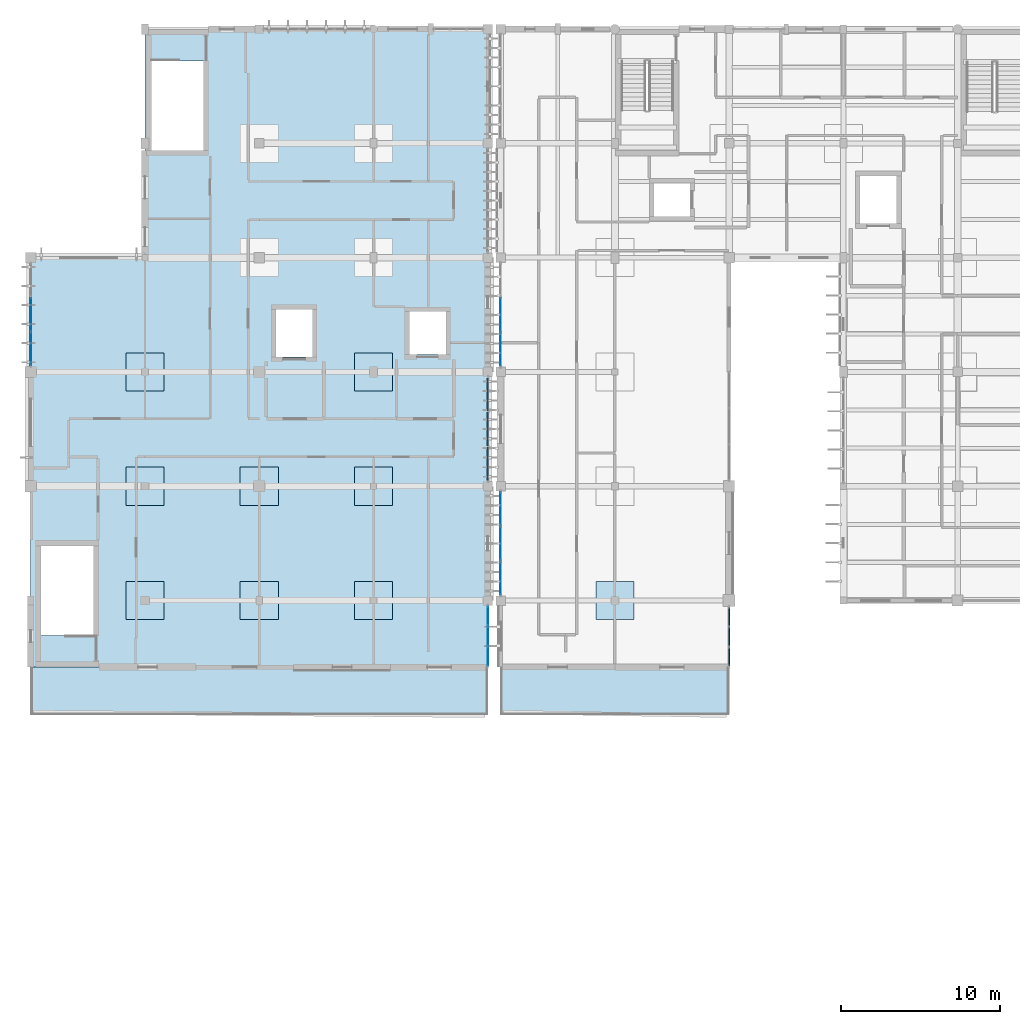
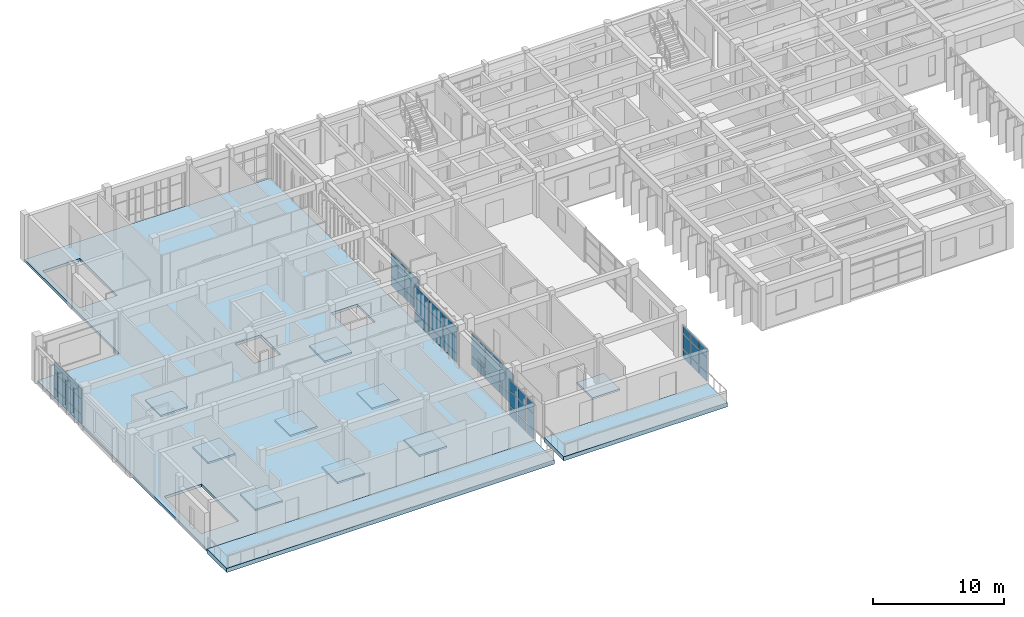
# One storey, part 25 of 55: 48 plates, 12 slabs, 6 elements without a shape of their own.
"""IFC4 building model written with IfcOpenShell, lengths in metres."""

from ifc_helpers import new_model, si_unit, direction, frame, origin, origin_2d, place, context, subcontext, project, spatial, polyline, rectangle, outline, extrude, material, layer, layer_set, type_object, element, aggregate, save


model = new_model("IFC4")

# Units and contexts
model_context = context("Model", 3, precision=1e-05, world=origin(), true_north=direction((0.0, 1.0)))
body_context = subcontext(model_context, "Body", "Model", "MODEL_VIEW")
ifc_project = project(units=[si_unit("LENGTHUNIT", "METRE"), si_unit("AREAUNIT", "SQUARE_METRE"), si_unit("VOLUMEUNIT", "CUBIC_METRE"), si_unit("PLANEANGLEUNIT", "RADIAN"), si_unit("MASSUNIT", "GRAM", prefix="KILO")], contexts=[model_context])

# Site, building, storey
site_placement = place(None, origin())
site = spatial("IfcSite", under=ifc_project, at=site_placement, CompositionType="ELEMENT")
building_placement = place(site_placement, origin())
building = spatial("IfcBuilding", under=site, at=building_placement, Name="Steenspoor Specialist Clinic", CompositionType="ELEMENT")
storey_placement = place(building_placement, frame((0.0, 0.0, 13.199951171875)))
storey = spatial("IfcBuildingStorey", under=building, at=storey_placement, Name="L03", CompositionType="ELEMENT", Elevation=13.199951171875)

# Curtain wall, plates
ifc_material_1 = material(Name="Thermally broken aluminium and low-emissivity glass", Category="aluminium")
curtain_wall_type_1 = type_object("IfcCurtainWallType", Name="CW-STR-220X415", PredefinedType="USERDEFINED", material=ifc_material_1)
curtain_wall_1_placement = place(storey_placement, origin())
curtain_wall_1 = element("IfcCurtainWall", 1, at=curtain_wall_1_placement, inside=storey, type_object=curtain_wall_type_1, Name="Unitised Curtain Wall CW-V4-L03-120", ObjectType="UNITISED GLAZING", PredefinedType="USERDEFINED")
ifc_material_2 = material(Name="Double low-emissivity insulated glass", Category="glass")
ifc_layer_1 = layer(ifc_material_2, 0.035888671875)
ifc_layer_set_1 = layer_set([ifc_layer_1], Name="Double low-emissivity insulated glass")
plate_type_1 = type_object("IfcPlateType", Name="CW-PAN-GL36", PredefinedType="CURTAIN_PANEL", material=ifc_layer_set_1)
plate_1_placement = place(storey_placement, frame((52.39990234375, 73.77001953125, 0.080078125), z_axis=(0.0, 0.0, 1.0), x_axis=(0.0, 1.0, 0.0)))
plate_1 = element("IfcPlate", 2, at=plate_1_placement, type_object=plate_type_1, Name="CW-24 panel 1.1", PredefinedType="CURTAIN_PANEL", context=body_context, shape_type="SweptSolid", body=[
    extrude(rectangle(XDim=2.080078125, YDim=0.035888671875, at=origin_2d()), origin(), (0.0, 0.0, 1.0), 0.780029296875),
])
plate_2_placement = place(storey_placement, frame((52.39990234375, 73.77001953125, 0.93994140625), z_axis=(0.0, 0.0, 1.0), x_axis=(0.0, 1.0, 0.0)))
plate_2 = element("IfcPlate", 3, at=plate_2_placement, type_object=plate_type_1, Name="CW-24 panel 1.2", PredefinedType="CURTAIN_PANEL", context=body_context, shape_type="SweptSolid", body=[
    extrude(rectangle(XDim=2.080078125, YDim=0.035888671875, at=origin_2d()), origin(), (0.0, 0.0, 1.0), 1.3701171875),
])
plate_3_placement = place(storey_placement, frame((52.39990234375, 73.77001953125, 2.39013671875), z_axis=(0.0, 0.0, 1.0), x_axis=(0.0, 1.0, 0.0)))
plate_3 = element("IfcPlate", 4, at=plate_3_placement, type_object=plate_type_1, Name="CW-24 panel 1.3", PredefinedType="CURTAIN_PANEL", context=body_context, shape_type="SweptSolid", body=[
    extrude(rectangle(XDim=2.080078125, YDim=0.035888671875, at=origin_2d()), origin(), (0.0, 0.0, 1.0), 0.659912109375),
])
plate_4_placement = place(storey_placement, frame((52.39990234375, 75.949951171875, 0.080078125), z_axis=(0.0, 0.0, 1.0), x_axis=(0.0, 1.0, 0.0)))
plate_4 = element("IfcPlate", 5, at=plate_4_placement, type_object=plate_type_1, Name="CW-24 panel 2.1", PredefinedType="CURTAIN_PANEL", context=body_context, shape_type="SweptSolid", body=[
    extrude(rectangle(XDim=2.1201171875, YDim=0.035888671875, at=origin_2d()), origin(), (0.0, 0.0, 1.0), 0.780029296875),
])
plate_5_placement = place(storey_placement, frame((52.39990234375, 75.949951171875, 0.93994140625), z_axis=(0.0, 0.0, 1.0), x_axis=(0.0, 1.0, 0.0)))
plate_5 = element("IfcPlate", 6, at=plate_5_placement, type_object=plate_type_1, Name="CW-24 panel 2.2", PredefinedType="CURTAIN_PANEL", context=body_context, shape_type="SweptSolid", body=[
    extrude(rectangle(XDim=2.1201171875, YDim=0.035888671875, at=origin_2d()), origin(), (0.0, 0.0, 1.0), 1.3701171875),
])
plate_6_placement = place(storey_placement, frame((52.39990234375, 75.949951171875, 2.39013671875), z_axis=(0.0, 0.0, 1.0), x_axis=(0.0, 1.0, 0.0)))
plate_6 = element("IfcPlate", 7, at=plate_6_placement, type_object=plate_type_1, Name="CW-24 panel 2.3", PredefinedType="CURTAIN_PANEL", context=body_context, shape_type="SweptSolid", body=[
    extrude(rectangle(XDim=2.1201171875, YDim=0.035888671875, at=origin_2d()), origin(), (0.0, 0.0, 1.0), 0.659912109375),
])
plate_7_placement = place(storey_placement, frame((52.39990234375, 78.1298828125, 0.080078125), z_axis=(0.0, 0.0, 1.0), x_axis=(0.0, 1.0, 0.0)))
plate_7 = element("IfcPlate", 8, at=plate_7_placement, type_object=plate_type_1, Name="CW-24 panel 3.1", PredefinedType="CURTAIN_PANEL", context=body_context, shape_type="SweptSolid", body=[
    extrude(rectangle(XDim=2.080078125, YDim=0.035888671875, at=origin_2d()), origin(), (0.0, 0.0, 1.0), 0.780029296875),
])
plate_8_placement = place(storey_placement, frame((52.39990234375, 78.1298828125, 0.93994140625), z_axis=(0.0, 0.0, 1.0), x_axis=(0.0, 1.0, 0.0)))
plate_8 = element("IfcPlate", 9, at=plate_8_placement, type_object=plate_type_1, Name="CW-24 panel 3.2", PredefinedType="CURTAIN_PANEL", context=body_context, shape_type="SweptSolid", body=[
    extrude(rectangle(XDim=2.080078125, YDim=0.035888671875, at=origin_2d()), origin(), (0.0, 0.0, 1.0), 1.3701171875),
])
plate_9_placement = place(storey_placement, frame((52.39990234375, 78.1298828125, 2.39013671875), z_axis=(0.0, 0.0, 1.0), x_axis=(0.0, 1.0, 0.0)))
plate_9 = element("IfcPlate", 10, at=plate_9_placement, type_object=plate_type_1, Name="CW-24 panel 3.3", PredefinedType="CURTAIN_PANEL", context=body_context, shape_type="SweptSolid", body=[
    extrude(rectangle(XDim=2.080078125, YDim=0.035888671875, at=origin_2d()), origin(), (0.0, 0.0, 1.0), 0.659912109375),
])
aggregate(curtain_wall_1, [plate_1, plate_2, plate_3, plate_4, plate_5, plate_6, plate_7, plate_8, plate_9])

curtain_wall_type_2 = type_object("IfcCurtainWallType", Name="CW-SCR-480X320", PredefinedType="USERDEFINED", material=ifc_material_1)
curtain_wall_2_placement = place(storey_placement, origin())
curtain_wall_2 = element("IfcCurtainWall", 11, at=curtain_wall_2_placement, inside=storey, type_object=curtain_wall_type_2, Name="Unitised Curtain Wall CW-V5-L03-162", ObjectType="UNITISED GLAZING", PredefinedType="USERDEFINED")
plate_10_placement = place(storey_placement, frame((51.60009765625, 71.3798828125, 0.06494140625), z_axis=(0.0, 0.0, 1.0), x_axis=(0.0, -1.0, 0.0)))
plate_10 = element("IfcPlate", 12, at=plate_10_placement, type_object=plate_type_1, Name="CW-18 panel 1.1", PredefinedType="CURTAIN_PANEL", context=body_context, shape_type="SweptSolid", body=[
    extrude(rectangle(XDim=1.179931640625, YDim=0.035888671875, at=origin_2d()), origin(), (0.0, 0.0, 1.0), 0.802490234375),
])
plate_11_placement = place(storey_placement, frame((51.60009765625, 71.3798828125, 0.9326171875), z_axis=(0.0, 0.0, 1.0), x_axis=(0.0, -1.0, 0.0)))
plate_11 = element("IfcPlate", 13, at=plate_11_placement, type_object=plate_type_1, Name="CW-18 panel 1.2", PredefinedType="CURTAIN_PANEL", context=body_context, shape_type="SweptSolid", body=[
    extrude(rectangle(XDim=1.179931640625, YDim=0.035888671875, at=origin_2d()), origin(), (0.0, 0.0, 1.0), 1.385009765625),
])
plate_12_placement = place(storey_placement, frame((51.60009765625, 71.3798828125, 2.382568359375), z_axis=(0.0, 0.0, 1.0), x_axis=(0.0, -1.0, 0.0)))
plate_12 = element("IfcPlate", 14, at=plate_12_placement, type_object=plate_type_1, Name="CW-18 panel 1.3", PredefinedType="CURTAIN_PANEL", context=body_context, shape_type="SweptSolid", body=[
    extrude(rectangle(XDim=1.179931640625, YDim=0.035888671875, at=origin_2d()), origin(), (0.0, 0.0, 1.0), 0.9326171875),
])
plate_13_placement = place(storey_placement, frame((51.60009765625, 70.10009765625, 0.06494140625), z_axis=(0.0, 0.0, 1.0), x_axis=(0.0, -1.0, 0.0)))
plate_13 = element("IfcPlate", 15, at=plate_13_placement, type_object=plate_type_1, Name="CW-18 panel 2.1", PredefinedType="CURTAIN_PANEL", context=body_context, shape_type="SweptSolid", body=[
    extrude(rectangle(XDim=1.219970703125, YDim=0.035888671875, at=origin_2d()), origin(), (0.0, 0.0, 1.0), 0.802490234375),
])
plate_14_placement = place(storey_placement, frame((51.60009765625, 70.10009765625, 0.9326171875), z_axis=(0.0, 0.0, 1.0), x_axis=(0.0, -1.0, 0.0)))
plate_14 = element("IfcPlate", 16, at=plate_14_placement, type_object=plate_type_1, Name="CW-18 panel 2.2", PredefinedType="CURTAIN_PANEL", context=body_context, shape_type="SweptSolid", body=[
    extrude(rectangle(XDim=1.219970703125, YDim=0.035888671875, at=origin_2d()), origin(), (0.0, 0.0, 1.0), 1.385009765625),
])
plate_15_placement = place(storey_placement, frame((51.60009765625, 70.10009765625, 2.382568359375), z_axis=(0.0, 0.0, 1.0), x_axis=(0.0, -1.0, 0.0)))
plate_15 = element("IfcPlate", 17, at=plate_15_placement, type_object=plate_type_1, Name="CW-18 panel 2.3", PredefinedType="CURTAIN_PANEL", context=body_context, shape_type="SweptSolid", body=[
    extrude(rectangle(XDim=1.219970703125, YDim=0.035888671875, at=origin_2d()), origin(), (0.0, 0.0, 1.0), 0.9326171875),
])
plate_16_placement = place(storey_placement, frame((51.60009765625, 68.820068359375, 0.06494140625), z_axis=(0.0, 0.0, 1.0), x_axis=(0.0, -1.0, 0.0)))
plate_16 = element("IfcPlate", 18, at=plate_16_placement, type_object=plate_type_1, Name="CW-18 panel 3.1", PredefinedType="CURTAIN_PANEL", context=body_context, shape_type="SweptSolid", body=[
    extrude(rectangle(XDim=1.179931640625, YDim=0.035888671875, at=origin_2d()), origin(), (0.0, 0.0, 1.0), 0.802490234375),
])
plate_17_placement = place(storey_placement, frame((51.60009765625, 68.820068359375, 0.9326171875), z_axis=(0.0, 0.0, 1.0), x_axis=(0.0, -1.0, 0.0)))
plate_17 = element("IfcPlate", 19, at=plate_17_placement, type_object=plate_type_1, Name="CW-18 panel 3.2", PredefinedType="CURTAIN_PANEL", context=body_context, shape_type="SweptSolid", body=[
    extrude(rectangle(XDim=1.179931640625, YDim=0.035888671875, at=origin_2d()), origin(), (0.0, 0.0, 1.0), 1.385009765625),
])
plate_18_placement = place(storey_placement, frame((51.60009765625, 68.820068359375, 2.382568359375), z_axis=(0.0, 0.0, 1.0), x_axis=(0.0, -1.0, 0.0)))
plate_18 = element("IfcPlate", 20, at=plate_18_placement, type_object=plate_type_1, Name="CW-18 panel 3.3", PredefinedType="CURTAIN_PANEL", context=body_context, shape_type="SweptSolid", body=[
    extrude(rectangle(XDim=1.179931640625, YDim=0.035888671875, at=origin_2d()), origin(), (0.0, 0.0, 1.0), 0.9326171875),
])
aggregate(curtain_wall_2, [plate_10, plate_11, plate_12, plate_13, plate_14, plate_15, plate_16, plate_17, plate_18])

curtain_wall_type_3 = type_object("IfcCurtainWallType", Name="CW-HALL-660X820", PredefinedType="USERDEFINED", material=ifc_material_1)
curtain_wall_3_placement = place(storey_placement, origin())
curtain_wall_3 = element("IfcCurtainWall", 21, at=curtain_wall_3_placement, inside=storey, type_object=curtain_wall_type_3, Name="Unitised Curtain Wall CW-V4-L03-121", ObjectType="UNITISED GLAZING", PredefinedType="USERDEFINED")
ifc_material_3 = material(Name="Triple acoustic laminated low-emissivity glass", Category="glass")
ifc_layer_2 = layer(ifc_material_3, 0.048095703125)
ifc_layer_set_2 = layer_set([ifc_layer_2], Name="Triple acoustic laminated low-emissivity glass")
plate_type_2 = type_object("IfcPlateType", Name="CW-PAN-GL48", PredefinedType="CURTAIN_PANEL", material=ifc_layer_set_2)
plate_19_placement = place(storey_placement, frame((52.39990234375, 88.169921875, 0.070068359375), z_axis=(0.0, 0.0, 1.0), x_axis=(0.0, 1.0, 0.0)))
plate_19 = element("IfcPlate", 22, at=plate_19_placement, type_object=plate_type_2, Name="CW-01 panel 1.1", PredefinedType="CURTAIN_PANEL", context=body_context, shape_type="SweptSolid", body=[
    extrude(rectangle(XDim=2.080078125, YDim=0.048095703125, at=origin_2d()), origin(), (0.0, 0.0, 1.0), 0.794921875),
])
plate_20_placement = place(storey_placement, frame((52.39990234375, 88.169921875, 0.93505859375), z_axis=(0.0, 0.0, 1.0), x_axis=(0.0, 1.0, 0.0)))
plate_20 = element("IfcPlate", 23, at=plate_20_placement, type_object=plate_type_2, Name="CW-01 panel 1.2", PredefinedType="CURTAIN_PANEL", context=body_context, shape_type="SweptSolid", body=[
    extrude(rectangle(XDim=2.080078125, YDim=0.048095703125, at=origin_2d()), origin(), (0.0, 0.0, 1.0), 1.3798828125),
])
plate_21_placement = place(storey_placement, frame((52.39990234375, 88.169921875, 2.38525390625), z_axis=(0.0, 0.0, 1.0), x_axis=(0.0, 1.0, 0.0)))
plate_21 = element("IfcPlate", 24, at=plate_21_placement, type_object=plate_type_2, Name="CW-01 panel 1.3", PredefinedType="CURTAIN_PANEL", context=body_context, shape_type="SweptSolid", body=[
    extrude(rectangle(XDim=2.080078125, YDim=0.048095703125, at=origin_2d()), origin(), (0.0, 0.0, 1.0), 0.675048828125),
])
plate_22_placement = place(storey_placement, frame((52.39990234375, 90.35009765625, 0.070068359375), z_axis=(0.0, 0.0, 1.0), x_axis=(0.0, 1.0, 0.0)))
plate_22 = element("IfcPlate", 25, at=plate_22_placement, type_object=plate_type_2, Name="CW-01 panel 2.1", PredefinedType="CURTAIN_PANEL", context=body_context, shape_type="SweptSolid", body=[
    extrude(rectangle(XDim=2.1201171875, YDim=0.048095703125, at=origin_2d()), origin(), (0.0, 0.0, 1.0), 0.794921875),
])
plate_23_placement = place(storey_placement, frame((52.39990234375, 90.35009765625, 0.93505859375), z_axis=(0.0, 0.0, 1.0), x_axis=(0.0, 1.0, 0.0)))
plate_23 = element("IfcPlate", 26, at=plate_23_placement, type_object=plate_type_2, Name="CW-01 panel 2.2", PredefinedType="CURTAIN_PANEL", context=body_context, shape_type="SweptSolid", body=[
    extrude(rectangle(XDim=2.1201171875, YDim=0.048095703125, at=origin_2d()), origin(), (0.0, 0.0, 1.0), 1.3798828125),
])
plate_24_placement = place(storey_placement, frame((52.39990234375, 90.35009765625, 2.38525390625), z_axis=(0.0, 0.0, 1.0), x_axis=(0.0, 1.0, 0.0)))
plate_24 = element("IfcPlate", 27, at=plate_24_placement, type_object=plate_type_2, Name="CW-01 panel 2.3", PredefinedType="CURTAIN_PANEL", context=body_context, shape_type="SweptSolid", body=[
    extrude(rectangle(XDim=2.1201171875, YDim=0.048095703125, at=origin_2d()), origin(), (0.0, 0.0, 1.0), 0.675048828125),
])
aggregate(curtain_wall_3, [plate_19, plate_20, plate_21, plate_22, plate_23, plate_24])

curtain_wall_type_4 = type_object("IfcCurtainWallType", Name="CW-TYP-420X355", PredefinedType="USERDEFINED", material=ifc_material_1)
curtain_wall_4_placement = place(storey_placement, origin())
curtain_wall_4 = element("IfcCurtainWall", 28, at=curtain_wall_4_placement, inside=storey, type_object=curtain_wall_type_4, Name="Unitised Curtain Wall CW-V5-L03-157", ObjectType="UNITISED GLAZING", PredefinedType="USERDEFINED")
plate_25_placement = place(storey_placement, frame((22.800048828125, 88.20751953125, 0.06494140625), z_axis=(0.0, 0.0, 1.0), x_axis=(0.0, 1.0, 0.0)))
plate_25 = element("IfcPlate", 29, at=plate_25_placement, type_object=plate_type_2, Name="CW-13 panel 1.1", PredefinedType="CURTAIN_PANEL", context=body_context, shape_type="SweptSolid", body=[
    extrude(rectangle(XDim=2.054931640625, YDim=0.048095703125, at=origin_2d()), origin(), (0.0, 0.0, 1.0), 0.802490234375),
])
plate_26_placement = place(storey_placement, frame((22.800048828125, 88.20751953125, 0.9326171875), z_axis=(0.0, 0.0, 1.0), x_axis=(0.0, 1.0, 0.0)))
plate_26 = element("IfcPlate", 30, at=plate_26_placement, type_object=plate_type_2, Name="CW-13 panel 1.2", PredefinedType="CURTAIN_PANEL", context=body_context, shape_type="SweptSolid", body=[
    extrude(rectangle(XDim=2.054931640625, YDim=0.048095703125, at=origin_2d()), origin(), (0.0, 0.0, 1.0), 1.385009765625),
])
plate_27_placement = place(storey_placement, frame((22.800048828125, 88.20751953125, 2.382568359375), z_axis=(0.0, 0.0, 1.0), x_axis=(0.0, 1.0, 0.0)))
plate_27 = element("IfcPlate", 31, at=plate_27_placement, type_object=plate_type_2, Name="CW-13 panel 1.3", PredefinedType="CURTAIN_PANEL", context=body_context, shape_type="SweptSolid", body=[
    extrude(rectangle(XDim=2.054931640625, YDim=0.048095703125, at=origin_2d()), origin(), (0.0, 0.0, 1.0), 0.9326171875),
])
plate_28_placement = place(storey_placement, frame((22.800048828125, 90.362548828125, 0.06494140625), z_axis=(0.0, 0.0, 1.0), x_axis=(0.0, 1.0, 0.0)))
plate_28 = element("IfcPlate", 32, at=plate_28_placement, type_object=plate_type_2, Name="CW-13 panel 2.1", PredefinedType="CURTAIN_PANEL", context=body_context, shape_type="SweptSolid", body=[
    extrude(rectangle(XDim=2.094970703125, YDim=0.048095703125, at=origin_2d()), origin(), (0.0, 0.0, 1.0), 0.802490234375),
])
plate_29_placement = place(storey_placement, frame((22.800048828125, 90.362548828125, 0.9326171875), z_axis=(0.0, 0.0, 1.0), x_axis=(0.0, 1.0, 0.0)))
plate_29 = element("IfcPlate", 33, at=plate_29_placement, type_object=plate_type_2, Name="CW-13 panel 2.2", PredefinedType="CURTAIN_PANEL", context=body_context, shape_type="SweptSolid", body=[
    extrude(rectangle(XDim=2.094970703125, YDim=0.048095703125, at=origin_2d()), origin(), (0.0, 0.0, 1.0), 1.385009765625),
])
plate_30_placement = place(storey_placement, frame((22.800048828125, 90.362548828125, 2.382568359375), z_axis=(0.0, 0.0, 1.0), x_axis=(0.0, 1.0, 0.0)))
plate_30 = element("IfcPlate", 34, at=plate_30_placement, type_object=plate_type_2, Name="CW-13 panel 2.3", PredefinedType="CURTAIN_PANEL", context=body_context, shape_type="SweptSolid", body=[
    extrude(rectangle(XDim=2.094970703125, YDim=0.048095703125, at=origin_2d()), origin(), (0.0, 0.0, 1.0), 0.9326171875),
])
aggregate(curtain_wall_4, [plate_25, plate_26, plate_27, plate_28, plate_29, plate_30])

curtain_wall_type_5 = type_object("IfcCurtainWallType", Name="CW-STR-220X355", PredefinedType="USERDEFINED", material=ifc_material_1)
curtain_wall_5_placement = place(storey_placement, origin())
curtain_wall_5 = element("IfcCurtainWall", 35, at=curtain_wall_5_placement, inside=storey, type_object=curtain_wall_type_5, Name="Unitised Curtain Wall CW-V4-L03-119", ObjectType="UNITISED GLAZING", PredefinedType="USERDEFINED")
ifc_material_4 = material(Name="Insulated glazed ceramic spandrel panel", Category="glass")
ifc_layer_3 = layer(ifc_material_4, 0.074951171875)
ifc_layer_set_3 = layer_set([ifc_layer_3], Name="Insulated glazed ceramic spandrel panel")
plate_type_3 = type_object("IfcPlateType", Name="CW-PAN-SP75", PredefinedType="CURTAIN_PANEL", material=ifc_layer_set_3)
plate_31_placement = place(storey_placement, frame((66.800048828125, 71.31494140625, 0.09033203125), z_axis=(0.0, 0.0, 1.0), x_axis=(0.0, -1.0, 0.0)))
plate_31 = element("IfcPlate", 36, at=plate_31_placement, type_object=plate_type_3, Name="CW-23 panel 1.1", PredefinedType="CURTAIN_PANEL", context=body_context, shape_type="SweptSolid", body=[
    extrude(rectangle(XDim=1.139892578125, YDim=0.074951171875, at=origin_2d()), origin(), (0.0, 0.0, 1.0), 0.764892578125),
])
plate_32_placement = place(storey_placement, frame((66.800048828125, 71.31494140625, 0.94482421875), z_axis=(0.0, 0.0, 1.0), x_axis=(0.0, -1.0, 0.0)))
plate_32 = element("IfcPlate", 37, at=plate_32_placement, type_object=plate_type_3, Name="CW-23 panel 1.2", PredefinedType="CURTAIN_PANEL", context=body_context, shape_type="SweptSolid", body=[
    extrude(rectangle(XDim=1.139892578125, YDim=0.074951171875, at=origin_2d()), origin(), (0.0, 0.0, 1.0), 1.360107421875),
])
plate_33_placement = place(storey_placement, frame((66.800048828125, 71.31494140625, 2.39501953125), z_axis=(0.0, 0.0, 1.0), x_axis=(0.0, -1.0, 0.0)))
plate_33 = element("IfcPlate", 38, at=plate_33_placement, type_object=plate_type_3, Name="CW-23 panel 1.3", PredefinedType="CURTAIN_PANEL", context=body_context, shape_type="SweptSolid", body=[
    extrude(rectangle(XDim=1.139892578125, YDim=0.074951171875, at=origin_2d()), origin(), (0.0, 0.0, 1.0), 0.64501953125),
])
plate_34_placement = place(storey_placement, frame((66.800048828125, 70.0625, 0.09033203125), z_axis=(0.0, 0.0, 1.0), x_axis=(0.0, -1.0, 0.0)))
plate_34 = element("IfcPlate", 39, at=plate_34_placement, type_object=plate_type_3, Name="CW-23 panel 2.1", PredefinedType="CURTAIN_PANEL", context=body_context, shape_type="SweptSolid", body=[
    extrude(rectangle(XDim=1.18505859375, YDim=0.074951171875, at=origin_2d()), origin(), (0.0, 0.0, 1.0), 0.764892578125),
])
plate_35_placement = place(storey_placement, frame((66.800048828125, 70.0625, 0.94482421875), z_axis=(0.0, 0.0, 1.0), x_axis=(0.0, -1.0, 0.0)))
plate_35 = element("IfcPlate", 40, at=plate_35_placement, type_object=plate_type_3, Name="CW-23 panel 2.2", PredefinedType="CURTAIN_PANEL", context=body_context, shape_type="SweptSolid", body=[
    extrude(rectangle(XDim=1.18505859375, YDim=0.074951171875, at=origin_2d()), origin(), (0.0, 0.0, 1.0), 1.360107421875),
])
plate_36_placement = place(storey_placement, frame((66.800048828125, 70.0625, 2.39501953125), z_axis=(0.0, 0.0, 1.0), x_axis=(0.0, -1.0, 0.0)))
plate_36 = element("IfcPlate", 41, at=plate_36_placement, type_object=plate_type_3, Name="CW-23 panel 2.3", PredefinedType="CURTAIN_PANEL", context=body_context, shape_type="SweptSolid", body=[
    extrude(rectangle(XDim=1.18505859375, YDim=0.074951171875, at=origin_2d()), origin(), (0.0, 0.0, 1.0), 0.64501953125),
])
plate_37_placement = place(storey_placement, frame((66.800048828125, 68.81005859375, 0.09033203125), z_axis=(0.0, 0.0, 1.0), x_axis=(0.0, -1.0, 0.0)))
plate_37 = element("IfcPlate", 42, at=plate_37_placement, type_object=plate_type_3, Name="CW-23 panel 3.1", PredefinedType="CURTAIN_PANEL", context=body_context, shape_type="SweptSolid", body=[
    extrude(rectangle(XDim=1.139892578125, YDim=0.074951171875, at=origin_2d()), origin(), (0.0, 0.0, 1.0), 0.764892578125),
])
plate_38_placement = place(storey_placement, frame((66.800048828125, 68.81005859375, 0.94482421875), z_axis=(0.0, 0.0, 1.0), x_axis=(0.0, -1.0, 0.0)))
plate_38 = element("IfcPlate", 43, at=plate_38_placement, type_object=plate_type_3, Name="CW-23 panel 3.2", PredefinedType="CURTAIN_PANEL", context=body_context, shape_type="SweptSolid", body=[
    extrude(rectangle(XDim=1.139892578125, YDim=0.074951171875, at=origin_2d()), origin(), (0.0, 0.0, 1.0), 1.360107421875),
])
plate_39_placement = place(storey_placement, frame((66.800048828125, 68.81005859375, 2.39501953125), z_axis=(0.0, 0.0, 1.0), x_axis=(0.0, -1.0, 0.0)))
plate_39 = element("IfcPlate", 44, at=plate_39_placement, type_object=plate_type_3, Name="CW-23 panel 3.3", PredefinedType="CURTAIN_PANEL", context=body_context, shape_type="SweptSolid", body=[
    extrude(rectangle(XDim=1.139892578125, YDim=0.074951171875, at=origin_2d()), origin(), (0.0, 0.0, 1.0), 0.64501953125),
])
aggregate(curtain_wall_5, [plate_31, plate_32, plate_33, plate_34, plate_35, plate_36, plate_37, plate_38, plate_39])

curtain_wall_type_6 = type_object("IfcCurtainWallType", Name="CW-SCR-660X320", PredefinedType="USERDEFINED", material=ifc_material_1)
curtain_wall_6_placement = place(storey_placement, origin())
curtain_wall_6 = element("IfcCurtainWall", 45, at=curtain_wall_6_placement, inside=storey, type_object=curtain_wall_type_6, Name="Unitised Curtain Wall CW-V5-L03-161", ObjectType="UNITISED GLAZING", PredefinedType="USERDEFINED")
plate_40_placement = place(storey_placement, frame((51.60009765625, 85.327392578125, 0.070068359375), z_axis=(0.0, 0.0, 1.0), x_axis=(0.0, -1.0, 0.0)))
plate_40 = element("IfcPlate", 46, at=plate_40_placement, type_object=plate_type_3, Name="CW-17 panel 1.1", PredefinedType="CURTAIN_PANEL", context=body_context, shape_type="SweptSolid", body=[
    extrude(rectangle(XDim=2.06494140625, YDim=0.074951171875, at=origin_2d()), origin(), (0.0, 0.0, 1.0), 0.794921875),
])
plate_41_placement = place(storey_placement, frame((51.60009765625, 85.327392578125, 0.93505859375), z_axis=(0.0, 0.0, 1.0), x_axis=(0.0, -1.0, 0.0)))
plate_41 = element("IfcPlate", 47, at=plate_41_placement, type_object=plate_type_3, Name="CW-17 panel 1.2", PredefinedType="CURTAIN_PANEL", context=body_context, shape_type="SweptSolid", body=[
    extrude(rectangle(XDim=2.06494140625, YDim=0.074951171875, at=origin_2d()), origin(), (0.0, 0.0, 1.0), 1.3798828125),
])
plate_42_placement = place(storey_placement, frame((51.60009765625, 85.327392578125, 2.38525390625), z_axis=(0.0, 0.0, 1.0), x_axis=(0.0, -1.0, 0.0)))
plate_42 = element("IfcPlate", 48, at=plate_42_placement, type_object=plate_type_3, Name="CW-17 panel 1.3", PredefinedType="CURTAIN_PANEL", context=body_context, shape_type="SweptSolid", body=[
    extrude(rectangle(XDim=2.06494140625, YDim=0.074951171875, at=origin_2d()), origin(), (0.0, 0.0, 1.0), 0.925048828125),
])
plate_43_placement = place(storey_placement, frame((51.60009765625, 83.14990234375, 0.070068359375), z_axis=(0.0, 0.0, 1.0), x_axis=(0.0, -1.0, 0.0)))
plate_43 = element("IfcPlate", 49, at=plate_43_placement, type_object=plate_type_3, Name="CW-17 panel 2.1", PredefinedType="CURTAIN_PANEL", context=body_context, shape_type="SweptSolid", body=[
    extrude(rectangle(XDim=2.110107421875, YDim=0.074951171875, at=origin_2d()), origin(), (0.0, 0.0, 1.0), 0.794921875),
])
plate_44_placement = place(storey_placement, frame((51.60009765625, 83.14990234375, 0.93505859375), z_axis=(0.0, 0.0, 1.0), x_axis=(0.0, -1.0, 0.0)))
plate_44 = element("IfcPlate", 50, at=plate_44_placement, type_object=plate_type_3, Name="CW-17 panel 2.2", PredefinedType="CURTAIN_PANEL", context=body_context, shape_type="SweptSolid", body=[
    extrude(rectangle(XDim=2.110107421875, YDim=0.074951171875, at=origin_2d()), origin(), (0.0, 0.0, 1.0), 1.3798828125),
])
plate_45_placement = place(storey_placement, frame((51.60009765625, 83.14990234375, 2.38525390625), z_axis=(0.0, 0.0, 1.0), x_axis=(0.0, -1.0, 0.0)))
plate_45 = element("IfcPlate", 51, at=plate_45_placement, type_object=plate_type_3, Name="CW-17 panel 2.3", PredefinedType="CURTAIN_PANEL", context=body_context, shape_type="SweptSolid", body=[
    extrude(rectangle(XDim=2.110107421875, YDim=0.074951171875, at=origin_2d()), origin(), (0.0, 0.0, 1.0), 0.925048828125),
])
plate_46_placement = place(storey_placement, frame((51.60009765625, 80.972412109375, 0.070068359375), z_axis=(0.0, 0.0, 1.0), x_axis=(0.0, -1.0, 0.0)))
plate_46 = element("IfcPlate", 52, at=plate_46_placement, type_object=plate_type_3, Name="CW-17 panel 3.1", PredefinedType="CURTAIN_PANEL", context=body_context, shape_type="SweptSolid", body=[
    extrude(rectangle(XDim=2.06494140625, YDim=0.074951171875, at=origin_2d()), origin(), (0.0, 0.0, 1.0), 0.794921875),
])
plate_47_placement = place(storey_placement, frame((51.60009765625, 80.972412109375, 0.93505859375), z_axis=(0.0, 0.0, 1.0), x_axis=(0.0, -1.0, 0.0)))
plate_47 = element("IfcPlate", 53, at=plate_47_placement, type_object=plate_type_3, Name="CW-17 panel 3.2", PredefinedType="CURTAIN_PANEL", context=body_context, shape_type="SweptSolid", body=[
    extrude(rectangle(XDim=2.06494140625, YDim=0.074951171875, at=origin_2d()), origin(), (0.0, 0.0, 1.0), 1.3798828125),
])
plate_48_placement = place(storey_placement, frame((51.60009765625, 80.972412109375, 2.38525390625), z_axis=(0.0, 0.0, 1.0), x_axis=(0.0, -1.0, 0.0)))
plate_48 = element("IfcPlate", 54, at=plate_48_placement, type_object=plate_type_3, Name="CW-17 panel 3.3", PredefinedType="CURTAIN_PANEL", context=body_context, shape_type="SweptSolid", body=[
    extrude(rectangle(XDim=2.06494140625, YDim=0.074951171875, at=origin_2d()), origin(), (0.0, 0.0, 1.0), 0.925048828125),
])
aggregate(curtain_wall_6, [plate_40, plate_41, plate_42, plate_43, plate_44, plate_45, plate_46, plate_47, plate_48])

# Slabs
ifc_material_5 = material(Name="Concrete C35/45", Category="concrete")
ifc_layer_4 = layer(ifc_material_5, 0.169921875)
ifc_layer_set_4 = layer_set([ifc_layer_4], Name="Concrete C35/45")
slab_type_1 = type_object("IfcSlabType", Name="SL-DROP-170", PredefinedType="USERDEFINED", material=ifc_layer_set_4)
slab_1_placement = place(storey_placement, frame((0.0, 0.0, -0.419921875)))
element("IfcSlab", 55, at=slab_1_placement, inside=storey, type_object=slab_type_1, Name="Column Drop Panel DROP-V4-L03-055", ObjectType="DROP PANEL", PredefinedType="USERDEFINED", context=body_context, shape_type="SweptSolid", body=[
    extrude(outline(polyline([(60.800048828125, 71.14990234375), (60.800048828125, 73.550048828125), (58.39990234375, 73.550048828125), (58.39990234375, 71.14990234375), (60.800048828125, 71.14990234375)])), origin(), (0.0, 0.0, 1.0), 0.169921875),
])
slab_2_placement = place(storey_placement, frame((0.0, 0.0, -0.419921875)))
element("IfcSlab", 56, at=slab_2_placement, inside=storey, type_object=slab_type_1, Name="Column Drop Panel DROP-V5-L03-119", ObjectType="DROP PANEL", PredefinedType="USERDEFINED", context=body_context, shape_type="SweptSolid", body=[
    extrude(outline(polyline([(31.199951171875, 71.14990234375), (31.199951171875, 73.550048828125), (28.800048828125, 73.550048828125), (28.800048828125, 71.14990234375), (31.199951171875, 71.14990234375)])), origin(), (0.0, 0.0, 1.0), 0.169921875),
])
slab_3_placement = place(storey_placement, frame((0.0, 0.0, -0.419921875)))
element("IfcSlab", 57, at=slab_3_placement, inside=storey, type_object=slab_type_1, Name="Column Drop Panel DROP-V5-L03-120", ObjectType="DROP PANEL", PredefinedType="USERDEFINED", context=body_context, shape_type="SweptSolid", body=[
    extrude(outline(polyline([(31.199951171875, 78.35009765625), (31.199951171875, 80.75), (28.800048828125, 80.75), (28.800048828125, 78.35009765625), (31.199951171875, 78.35009765625)])), origin(), (0.0, 0.0, 1.0), 0.169921875),
])
slab_4_placement = place(storey_placement, frame((0.0, 0.0, -0.419921875)))
element("IfcSlab", 58, at=slab_4_placement, inside=storey, type_object=slab_type_1, Name="Column Drop Panel DROP-V5-L03-121", ObjectType="DROP PANEL", PredefinedType="USERDEFINED", context=body_context, shape_type="SweptSolid", body=[
    extrude(outline(polyline([(31.199951171875, 85.550048828125), (31.199951171875, 87.949951171875), (28.800048828125, 87.949951171875), (28.800048828125, 85.550048828125), (31.199951171875, 85.550048828125)])), origin(), (0.0, 0.0, 1.0), 0.169921875),
])
slab_5_placement = place(storey_placement, frame((0.0, 0.0, -0.419921875)))
element("IfcSlab", 59, at=slab_5_placement, inside=storey, type_object=slab_type_1, Name="Column Drop Panel DROP-V5-L03-122", ObjectType="DROP PANEL", PredefinedType="USERDEFINED", context=body_context, shape_type="SweptSolid", body=[
    extrude(outline(polyline([(38.39990234375, 71.14990234375), (38.39990234375, 73.550048828125), (36.0, 73.550048828125), (36.0, 71.14990234375), (38.39990234375, 71.14990234375)])), origin(), (0.0, 0.0, 1.0), 0.169921875),
])
slab_6_placement = place(storey_placement, frame((0.0, 0.0, -0.419921875)))
element("IfcSlab", 60, at=slab_6_placement, inside=storey, type_object=slab_type_1, Name="Column Drop Panel DROP-V5-L03-123", ObjectType="DROP PANEL", PredefinedType="USERDEFINED", context=body_context, shape_type="SweptSolid", body=[
    extrude(outline(polyline([(38.39990234375, 78.35009765625), (38.39990234375, 80.75), (36.0, 80.75), (36.0, 78.35009765625), (38.39990234375, 78.35009765625)])), origin(), (0.0, 0.0, 1.0), 0.169921875),
])
slab_7_placement = place(storey_placement, frame((0.0, 0.0, -0.419921875)))
element("IfcSlab", 61, at=slab_7_placement, inside=storey, type_object=slab_type_1, Name="Column Drop Panel DROP-V5-L03-126", ObjectType="DROP PANEL", PredefinedType="USERDEFINED", context=body_context, shape_type="SweptSolid", body=[
    extrude(outline(polyline([(45.60009765625, 71.14990234375), (45.60009765625, 73.550048828125), (43.199951171875, 73.550048828125), (43.199951171875, 71.14990234375), (45.60009765625, 71.14990234375)])), origin(), (0.0, 0.0, 1.0), 0.169921875),
])
slab_8_placement = place(storey_placement, frame((0.0, 0.0, -0.419921875)))
element("IfcSlab", 62, at=slab_8_placement, inside=storey, type_object=slab_type_1, Name="Column Drop Panel DROP-V5-L03-127", ObjectType="DROP PANEL", PredefinedType="USERDEFINED", context=body_context, shape_type="SweptSolid", body=[
    extrude(outline(polyline([(45.60009765625, 78.35009765625), (45.60009765625, 80.75), (43.199951171875, 80.75), (43.199951171875, 78.35009765625), (45.60009765625, 78.35009765625)])), origin(), (0.0, 0.0, 1.0), 0.169921875),
])
slab_9_placement = place(storey_placement, frame((0.0, 0.0, -0.419921875)))
element("IfcSlab", 63, at=slab_9_placement, inside=storey, type_object=slab_type_1, Name="Column Drop Panel DROP-V5-L03-128", ObjectType="DROP PANEL", PredefinedType="USERDEFINED", context=body_context, shape_type="SweptSolid", body=[
    extrude(outline(polyline([(45.60009765625, 85.550048828125), (45.60009765625, 87.949951171875), (43.199951171875, 87.949951171875), (43.199951171875, 85.550048828125), (45.60009765625, 85.550048828125)])), origin(), (0.0, 0.0, 1.0), 0.169921875),
])
ifc_layer_5 = layer(ifc_material_5, 0.25)
ifc_layer_set_5 = layer_set([ifc_layer_5], Name="Concrete C35/45")
slab_type_2 = type_object("IfcSlabType", Name="SL-FLAT-250", PredefinedType="FLOOR", material=ifc_layer_set_5)
slab_10_placement = place(storey_placement, frame((0.0, 0.0, -0.25)))
element("IfcSlab", 64, at=slab_10_placement, inside=storey, type_object=slab_type_2, Name="Structural Slab SLAB-V5-L03-042", PredefinedType="FLOOR", context=body_context, shape_type="SweptSolid", body=[
    extrude(outline(polyline([(22.800048828125, 93.949951171875), (30.0, 93.949951171875), (30.0, 108.35009765625), (51.60009765625, 108.35009765625), (51.60009765625, 93.949951171875), (51.60009765625, 68.14990234375), (22.800048828125, 68.14990234375), (22.800048828125, 93.949951171875)]), holes=[polyline([(23.449951171875, 70.14990234375), (26.75, 70.14990234375), (26.75, 75.800048828125), (23.449951171875, 75.800048828125), (23.449951171875, 70.14990234375)]), polyline([(38.25, 90.699951171875), (38.25, 87.699951171875), (40.550048828125, 87.699951171875), (40.550048828125, 90.699951171875), (38.25, 90.699951171875)]), polyline([(46.64990234375, 90.550048828125), (46.64990234375, 87.85009765625), (48.949951171875, 87.85009765625), (48.949951171875, 90.550048828125), (46.64990234375, 90.550048828125)]), polyline([(30.39990234375, 106.35009765625), (30.39990234375, 100.699951171875), (33.699951171875, 100.699951171875), (33.699951171875, 106.35009765625), (30.39990234375, 106.35009765625)])]), origin(), (0.0, 0.0, 1.0), 0.25),
])
ifc_layer_6 = layer(ifc_material_5, 0.3798828125)
ifc_layer_set_6 = layer_set([ifc_layer_6], Name="Concrete C35/45")
slab_type_3 = type_object("IfcSlabType", Name="SL-GARDEN-380", PredefinedType="FLOOR", material=ifc_layer_set_6)
slab_11_placement = place(storey_placement, frame((0.0, 0.0, -0.3798828125)))
element("IfcSlab", 65, at=slab_11_placement, inside=storey, type_object=slab_type_3, Name="Planted Roof Terrace Slab TERR-V4-L03-01", PredefinedType="FLOOR", context=body_context, shape_type="SweptSolid", body=[
    extrude(outline(polyline([(66.800048828125, 65.14990234375), (66.800048828125, 68.14990234375), (52.39990234375, 68.14990234375), (52.39990234375, 65.14990234375), (66.800048828125, 65.14990234375)])), origin(), (0.0, 0.0, 1.0), 0.3798828125),
])
slab_12_placement = place(storey_placement, frame((0.0, 0.0, -0.3798828125)))
element("IfcSlab", 66, at=slab_12_placement, inside=storey, type_object=slab_type_3, Name="Planted Roof Terrace Slab TERR-V5-L03-01", PredefinedType="FLOOR", context=body_context, shape_type="SweptSolid", body=[
    extrude(outline(polyline([(51.60009765625, 65.14990234375), (51.60009765625, 68.14990234375), (22.800048828125, 68.14990234375), (22.800048828125, 65.14990234375), (51.60009765625, 65.14990234375)])), origin(), (0.0, 0.0, 1.0), 0.3798828125),
])

save(model, "model.ifc")
